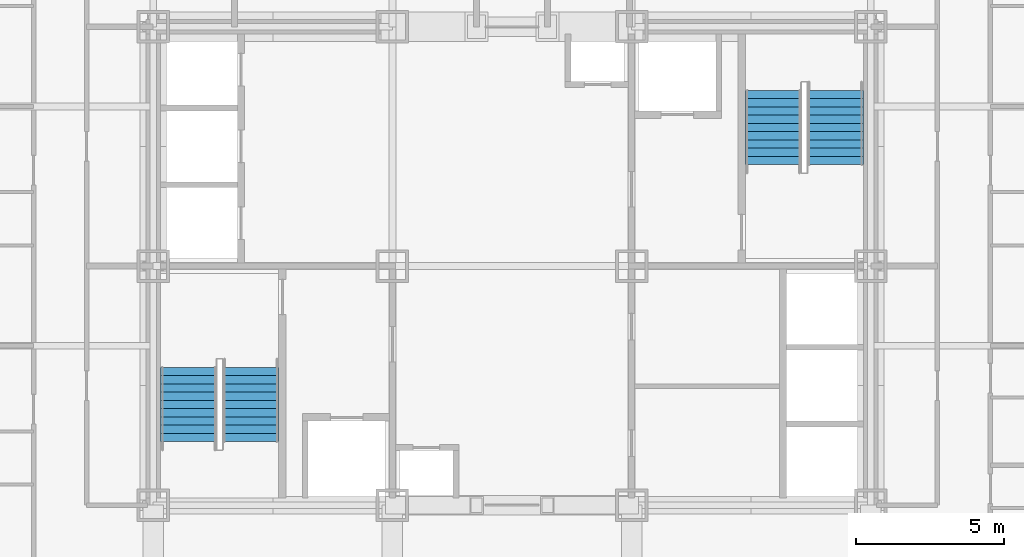
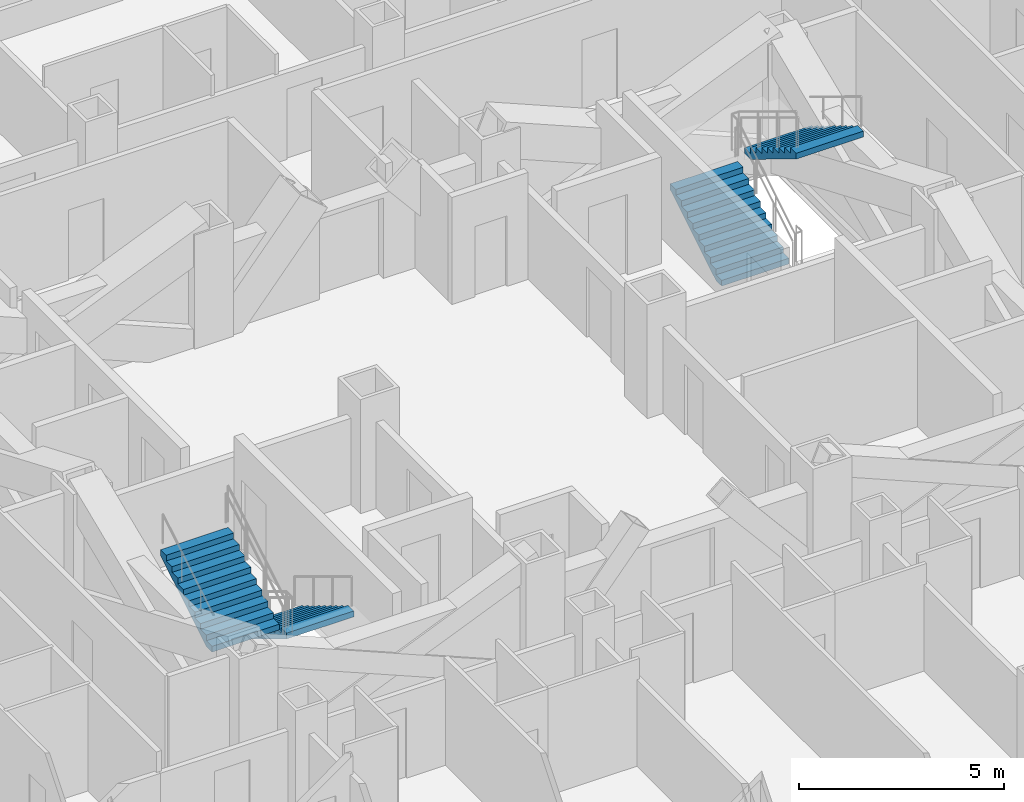
# One storey, part 11 of 12: 4 stair flights, 2 elements without a shape of their own.
"""IFC4 building model written with IfcOpenShell, lengths in metres."""

from ifc_helpers import new_model, si_unit, direction, frame, origin, place, context, subcontext, project, spatial, polygons, source, transform, mapped, material, type_object, element, aggregate, save


model = new_model("IFC4")

# Units and contexts
model_context = context("Model", 3, precision=1e-05, world=origin(), true_north=direction((0.0, 1.0)))
body_context = subcontext(model_context, "Body", "Model", "MODEL_VIEW")
ifc_project = project(units=[si_unit("LENGTHUNIT", "METRE"), si_unit("AREAUNIT", "SQUARE_METRE"), si_unit("VOLUMEUNIT", "CUBIC_METRE"), si_unit("PLANEANGLEUNIT", "RADIAN"), si_unit("MASSUNIT", "GRAM", prefix="KILO")], contexts=[model_context])

# Site, building, storey
site_placement = place(None, origin())
site = spatial("IfcSite", under=ifc_project, at=site_placement, CompositionType="ELEMENT")
building_placement = place(site_placement, origin())
building = spatial("IfcBuilding", under=site, at=building_placement, Name="Kopane Lantern Tower", CompositionType="ELEMENT")
storey_placement = place(building_placement, frame((0.0, 0.0, 106.800048828125)))
storey = spatial("IfcBuildingStorey", under=building, at=storey_placement, Name="L26", CompositionType="ELEMENT", Elevation=106.800048828125)

# Stair, stair flights
ifc_material_1 = material(Name="Steel S355JR", Category="steel")
stair_type = type_object("IfcStairType", Name="EXIT STAIR 1900 HALF TURN", PredefinedType="HALF_TURN_STAIR", material=ifc_material_1)
stair_1_placement = place(storey_placement, origin())
stair_1 = element("IfcStair", 1, at=stair_1_placement, inside=storey, type_object=stair_type, Name="Exit stair ST1 L26", PredefinedType="HALF_TURN_STAIR")
ifc_material_2 = material(Name="Steel S355JR", Category="steel")
stair_flight_type = type_object("IfcStairFlightType", Name="STAIR FLIGHT 1900 STEEL", PredefinedType="STRAIGHT", material=ifc_material_2)
shared_shape = source(origin(), body_context, "Body", "Tessellation", [
    polygons([(2.520019531, 0.949951172, 1.530029297), (2.239990234, 0.949951172, 1.530029297), (2.239990234, -0.949951172, 1.530029297), (2.520019531, -0.949951172, 1.530029297), (0.288818359, 0.949951172, 0.0), (2.520019531, 0.949951172, 1.354736328), (2.520019531, -0.949951172, 1.354736328), (0.288818359, -0.949951172, 0.0), (0.0, 0.949951172, 0.0), (0.0, -0.949951172, 0.0), (0.280029297, 0.949951172, 0.169921875), (0.0, 0.949951172, 0.169921875), (0.0, -0.949951172, 0.169921875), (0.280029297, -0.949951172, 0.169921875), (0.280029297, 0.949951172, 0.340087891), (0.280029297, -0.949951172, 0.340087891), (0.560058594, 0.949951172, 0.340087891), (0.560058594, -0.949951172, 0.340087891), (0.560058594, 0.949951172, 0.510009766), (0.560058594, -0.949951172, 0.510009766), (0.840087891, 0.949951172, 0.510009766), (0.840087891, -0.949951172, 0.510009766), (0.840087891, 0.949951172, 0.679931641), (0.840087891, -0.949951172, 0.679931641), (1.120117188, 0.949951172, 0.679931641), (1.120117188, -0.949951172, 0.679931641), (1.120117188, 0.949951172, 0.850097656), (1.120117188, -0.949951172, 0.850097656), (1.399902344, 0.949951172, 0.850097656), (1.399902344, -0.949951172, 0.850097656), (1.399902344, 0.949951172, 1.020019531), (1.399902344, -0.949951172, 1.020019531), (1.679931641, 0.949951172, 1.020019531), (1.679931641, -0.949951172, 1.020019531), (1.679931641, 0.949951172, 1.189941406), (1.679931641, -0.949951172, 1.189941406), (1.959960938, 0.949951172, 1.189941406), (1.959960938, -0.949951172, 1.189941406), (1.959960938, 0.949951172, 1.360107422), (1.959960938, -0.949951172, 1.360107422), (2.239990234, 0.949951172, 1.360107422), (2.239990234, -0.949951172, 1.360107422), (0.0, 0.0, 0.004592483), (0.0, 0.0, 0.009184966), (0.0, 0.0, 0.013777449), (0.0, 0.0, 0.018369932), (0.0, 0.0, 0.022962416), (0.0, 0.0, 0.027554899), (0.0, 0.0, 0.032147382), (0.0, 0.0, 0.036739865), (0.0, 0.0, 0.041332348), (0.0, 0.0, 0.045924831), (0.0, 0.0, 0.050517314), (0.0, 0.0, 0.055109797), (0.0, 0.0, 0.05970228), (0.0, 0.0, 0.064294764), (0.0, 0.0, 0.068887247), (0.0, 0.0, 0.07347973), (0.0, 0.0, 0.078072213), (0.0, 0.0, 0.082664696), (0.0, 0.0, 0.087257179), (0.0, 0.0, 0.091849662), (0.0, 0.0, 0.096442145), (0.0, 0.0, 0.101034628), (0.0, 0.0, 0.105627111), (0.0, 0.0, 0.110219595), (0.0, 0.0, 0.114812078), (0.0, 0.0, 0.119404561), (0.0, 0.0, 0.123997044), (0.0, 0.0, 0.128589527), (0.0, 0.0, 0.13318201), (0.0, 0.0, 0.137774493), (0.0, 0.0, 0.142366976), (0.0, 0.0, 0.146959459), (0.0, 0.0, 0.151551943), (0.0, 0.0, 0.156144426), (0.0, 0.0, 0.160736909), (0.0, 0.0, 0.165329392), (2.520019531, 0.0, 1.359473976), (2.520019531, 0.0, 1.364211624), (2.520019531, 0.0, 1.368949272), (2.520019531, 0.0, 1.373686919), (2.520019531, 0.0, 1.378424567), (2.520019531, 0.0, 1.383162215), (2.520019531, 0.0, 1.387899863), (2.520019531, 0.0, 1.392637511), (2.520019531, 0.0, 1.397375158), (2.520019531, 0.0, 1.402112806), (2.520019531, 0.0, 1.406850454), (2.520019531, 0.0, 1.411588102), (2.520019531, 0.0, 1.41632575), (2.520019531, 0.0, 1.421063397), (2.520019531, 0.0, 1.425801045), (2.520019531, 0.0, 1.430538693), (2.520019531, 0.0, 1.435276341), (2.520019531, 0.0, 1.440013989), (2.520019531, 0.0, 1.444751636), (2.520019531, 0.0, 1.449489284), (2.520019531, 0.0, 1.454226932), (2.520019531, 0.0, 1.45896458), (2.520019531, 0.0, 1.463702228), (2.520019531, 0.0, 1.468439875), (2.520019531, 0.0, 1.473177523), (2.520019531, 0.0, 1.477915171), (2.520019531, 0.0, 1.482652819), (2.520019531, 0.0, 1.487390467), (2.520019531, 0.0, 1.492128114), (2.520019531, 0.0, 1.496865762), (2.520019531, 0.0, 1.50160341), (2.520019531, 0.0, 1.506341058), (2.520019531, 0.0, 1.511078706), (2.520019531, 0.0, 1.515816353), (2.520019531, 0.0, 1.520554001), (2.520019531, 0.0, 1.525291649)], [[[1, 2, 3]], [[1, 3, 4]], [[5, 6, 7]], [[5, 7, 8]], [[9, 5, 8]], [[9, 8, 10]], [[11, 12, 13]], [[11, 13, 14]], [[15, 11, 14]], [[15, 14, 16]], [[17, 15, 16]], [[17, 16, 18]], [[19, 17, 18]], [[19, 18, 20]], [[21, 19, 20]], [[21, 20, 22]], [[23, 21, 22]], [[23, 22, 24]], [[25, 23, 24]], [[25, 24, 26]], [[27, 25, 26]], [[27, 26, 28]], [[29, 27, 28]], [[29, 28, 30]], [[31, 29, 30]], [[31, 30, 32]], [[33, 31, 32]], [[33, 32, 34]], [[35, 33, 34]], [[35, 34, 36]], [[37, 35, 36]], [[37, 36, 38]], [[39, 37, 38]], [[39, 38, 40]], [[41, 39, 40]], [[41, 40, 42]], [[2, 41, 42]], [[2, 42, 3]], [[41, 1, 6]], [[37, 41, 6]], [[2, 1, 41]], [[33, 37, 6]], [[39, 41, 37]], [[35, 37, 33]], [[31, 33, 29]], [[5, 21, 25]], [[27, 29, 25]], [[17, 21, 5]], [[23, 25, 21]], [[11, 17, 5]], [[19, 21, 17]], [[9, 11, 5]], [[15, 17, 11]], [[12, 11, 9]], [[6, 5, 25]], [[6, 25, 29]], [[6, 29, 33]], [[7, 4, 42]], [[7, 42, 38]], [[42, 4, 3]], [[7, 38, 34]], [[38, 42, 40]], [[34, 38, 36]], [[30, 34, 32]], [[26, 22, 8]], [[26, 30, 28]], [[8, 22, 18]], [[22, 26, 24]], [[8, 18, 14]], [[18, 22, 20]], [[8, 14, 10]], [[14, 18, 16]], [[10, 14, 13]], [[26, 8, 7]], [[30, 26, 7]], [[34, 30, 7]], [[10, 43, 9]], [[10, 44, 43]], [[9, 43, 44]], [[10, 45, 44]], [[9, 44, 45]], [[10, 46, 45]], [[9, 45, 46]], [[10, 47, 46]], [[9, 46, 47]], [[10, 48, 47]], [[9, 47, 48]], [[10, 49, 48]], [[9, 48, 49]], [[10, 50, 49]], [[9, 49, 50]], [[10, 51, 50]], [[9, 50, 51]], [[10, 52, 51]], [[9, 51, 52]], [[10, 53, 52]], [[9, 52, 53]], [[10, 54, 53]], [[9, 53, 54]], [[10, 55, 54]], [[9, 54, 55]], [[10, 56, 55]], [[9, 55, 56]], [[10, 57, 56]], [[9, 56, 57]], [[10, 58, 57]], [[9, 57, 58]], [[10, 59, 58]], [[9, 58, 59]], [[10, 60, 59]], [[9, 59, 60]], [[10, 61, 60]], [[9, 60, 61]], [[10, 62, 61]], [[9, 61, 62]], [[10, 63, 62]], [[9, 62, 63]], [[10, 64, 63]], [[9, 63, 64]], [[10, 65, 64]], [[9, 64, 65]], [[10, 66, 65]], [[9, 65, 66]], [[10, 67, 66]], [[9, 66, 67]], [[10, 68, 67]], [[9, 67, 68]], [[10, 69, 68]], [[9, 68, 69]], [[10, 70, 69]], [[9, 69, 70]], [[10, 71, 70]], [[9, 70, 71]], [[10, 72, 71]], [[9, 71, 72]], [[10, 73, 72]], [[9, 72, 73]], [[10, 74, 73]], [[9, 73, 74]], [[10, 75, 74]], [[9, 74, 75]], [[10, 76, 75]], [[9, 75, 76]], [[10, 77, 76]], [[9, 76, 77]], [[10, 78, 77]], [[9, 77, 78]], [[10, 13, 78]], [[78, 13, 12]], [[9, 78, 12]], [[7, 6, 79]], [[7, 79, 80]], [[6, 80, 79]], [[7, 80, 81]], [[6, 81, 80]], [[7, 81, 82]], [[6, 82, 81]], [[7, 82, 83]], [[6, 83, 82]], [[7, 83, 84]], [[6, 84, 83]], [[7, 84, 85]], [[6, 85, 84]], [[7, 85, 86]], [[6, 86, 85]], [[7, 86, 87]], [[6, 87, 86]], [[7, 87, 88]], [[6, 88, 87]], [[7, 88, 89]], [[6, 89, 88]], [[7, 89, 90]], [[6, 90, 89]], [[7, 90, 91]], [[6, 91, 90]], [[7, 91, 92]], [[6, 92, 91]], [[7, 92, 93]], [[6, 93, 92]], [[7, 93, 94]], [[6, 94, 93]], [[7, 94, 95]], [[6, 95, 94]], [[7, 95, 96]], [[6, 96, 95]], [[7, 96, 97]], [[6, 97, 96]], [[7, 97, 98]], [[6, 98, 97]], [[7, 98, 99]], [[6, 99, 98]], [[7, 99, 100]], [[6, 100, 99]], [[7, 100, 101]], [[6, 101, 100]], [[7, 101, 102]], [[6, 102, 101]], [[7, 102, 103]], [[6, 103, 102]], [[7, 103, 104]], [[6, 104, 103]], [[7, 104, 105]], [[6, 105, 104]], [[7, 105, 106]], [[6, 106, 105]], [[7, 106, 107]], [[6, 107, 106]], [[7, 107, 108]], [[6, 108, 107]], [[7, 108, 109]], [[6, 109, 108]], [[7, 109, 110]], [[6, 110, 109]], [[7, 110, 111]], [[6, 111, 110]], [[7, 111, 112]], [[6, 112, 111]], [[7, 112, 113]], [[6, 113, 112]], [[7, 113, 114]], [[6, 114, 113]], [[7, 114, 4]], [[114, 1, 4]], [[6, 1, 114]]], closed=True),
])
stair_flight_1_placement = place(storey_placement, frame((19.5, 28.969970703125, 0.0), z_axis=(0.0, 0.0, 1.0), x_axis=(0.0, -1.0, 0.0)))
stair_flight_1 = element("IfcStairFlight", 2, at=stair_flight_1_placement, type_object=stair_flight_type, Name="ST1 flight 1", NumberOfRisers=10, NumberOfTreads=9, PredefinedType="STRAIGHT", RiserHeight=0.17, TreadLength=0.28, context=body_context, shape_type="MappedRepresentation", body=[
    mapped(shared_shape, transform((0.0, 0.0, 0.0))),
])
stair_flight_2_placement = place(storey_placement, frame((17.39990234375, 26.449951171875, 1.699951171875), z_axis=(0.0, 0.0, 1.0), x_axis=(0.0, 1.0, 0.0)))
stair_flight_2 = element("IfcStairFlight", 3, at=stair_flight_2_placement, type_object=stair_flight_type, Name="ST1 flight 2", NumberOfRisers=10, NumberOfTreads=9, PredefinedType="STRAIGHT", RiserHeight=0.17, TreadLength=0.28, context=body_context, shape_type="MappedRepresentation", body=[
    mapped(shared_shape, transform((0.0, 0.0, 0.0))),
])
aggregate(stair_1, [stair_flight_1, stair_flight_2])

stair_2_placement = place(storey_placement, origin())
stair_2 = element("IfcStair", 4, at=stair_2_placement, inside=storey, type_object=stair_type, Name="Exit stair ST2 L26", PredefinedType="HALF_TURN_STAIR")
stair_flight_3_placement = place(storey_placement, frame((37.199951171875, 35.830078125, 0.0), z_axis=(0.0, 0.0, 1.0), x_axis=(0.0, 1.0, 0.0)))
stair_flight_3 = element("IfcStairFlight", 5, at=stair_flight_3_placement, type_object=stair_flight_type, Name="ST2 flight 1", NumberOfRisers=10, NumberOfTreads=9, PredefinedType="STRAIGHT", RiserHeight=0.17, TreadLength=0.28, context=body_context, shape_type="MappedRepresentation", body=[
    mapped(shared_shape, transform((0.0, 0.0, 0.0))),
])
stair_flight_4_placement = place(storey_placement, frame((39.300048828125, 38.35009765625, 1.699951171875), z_axis=(0.0, 0.0, 1.0), x_axis=(0.0, -1.0, 0.0)))
stair_flight_4 = element("IfcStairFlight", 6, at=stair_flight_4_placement, type_object=stair_flight_type, Name="ST2 flight 2", NumberOfRisers=10, NumberOfTreads=9, PredefinedType="STRAIGHT", RiserHeight=0.17, TreadLength=0.28, context=body_context, shape_type="MappedRepresentation", body=[
    mapped(shared_shape, transform((0.0, 0.0, 0.0))),
])
aggregate(stair_2, [stair_flight_3, stair_flight_4])

save(model, "model.ifc")
